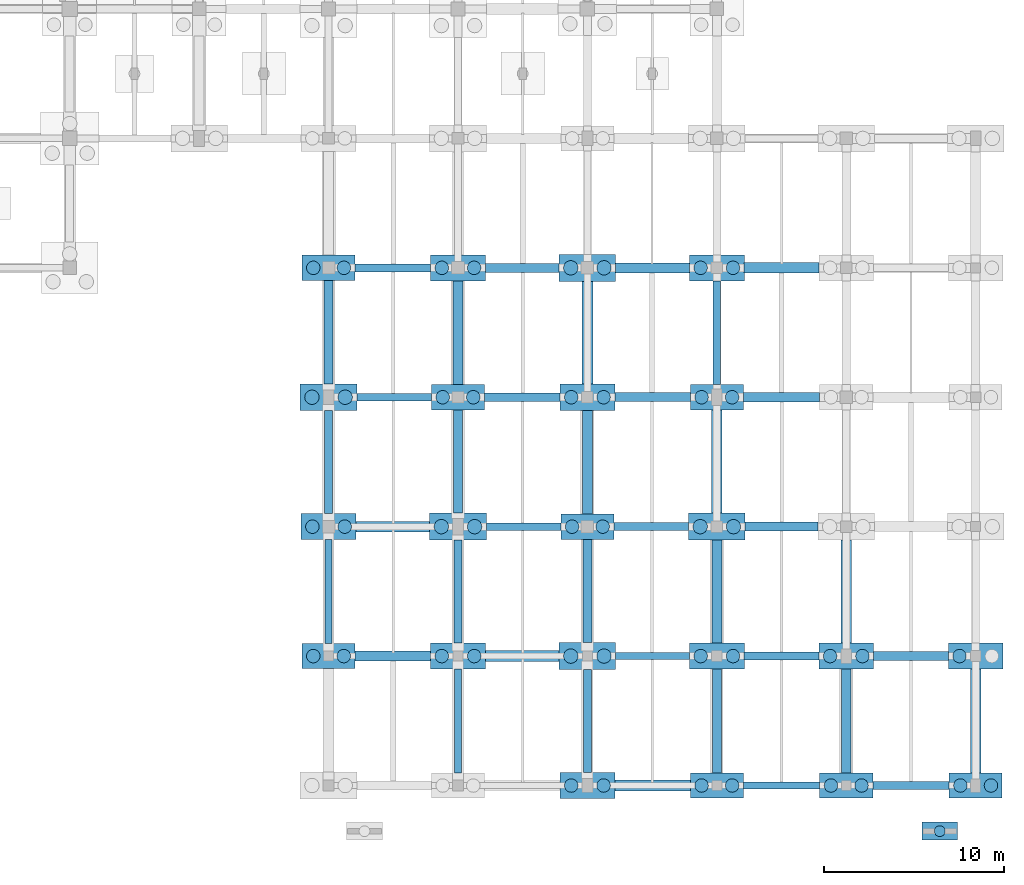
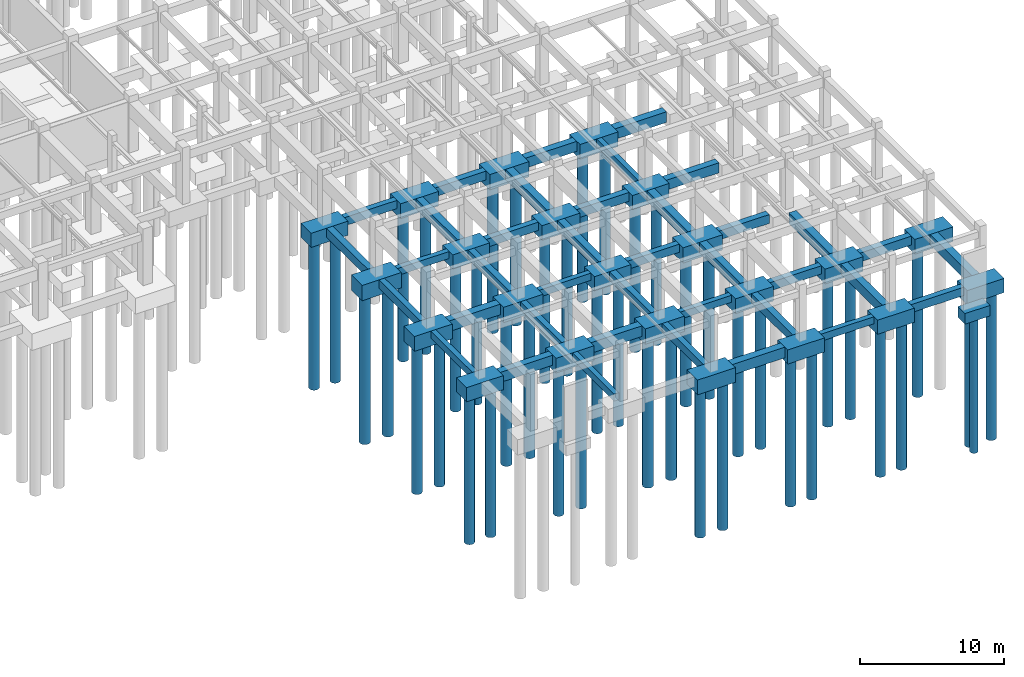
# One storey, part 12 of 44: 61 footings, 44 piles.
"""IFC4 building model written with IfcOpenShell, lengths in metres."""

from ifc_helpers import new_model, si_unit, direction, frame, origin, origin_2d, place, context, subcontext, project, spatial, rectangle, circle, extrude, material, material_profile, profile_set, type_object, element, save


model = new_model("IFC4")

# Units and contexts
model_context = context("Model", 3, precision=1e-05, world=origin(), true_north=direction((0.0, 1.0)))
body_context = subcontext(model_context, "Body", "Model", "MODEL_VIEW")
ifc_project = project(units=[si_unit("LENGTHUNIT", "METRE"), si_unit("AREAUNIT", "SQUARE_METRE"), si_unit("VOLUMEUNIT", "CUBIC_METRE"), si_unit("PLANEANGLEUNIT", "RADIAN"), si_unit("MASSUNIT", "GRAM", prefix="KILO")], contexts=[model_context])

# Site, building, storey
site_placement = place(None, origin())
site = spatial("IfcSite", under=ifc_project, at=site_placement, CompositionType="ELEMENT")
building_placement = place(site_placement, origin())
building = spatial("IfcBuilding", under=site, at=building_placement, Name="Korsvaeld Concert Hall", CompositionType="ELEMENT")
storey_placement = place(building_placement, frame((0.0, 0.0, -4.800048828125)))
storey = spatial("IfcBuildingStorey", under=building, at=storey_placement, Name="B1", CompositionType="ELEMENT", Elevation=-4.800048828125)

# Footings
ifc_material = material(Name="Concrete C35/45", Category="concrete")
ifc_material_profile_1 = material_profile(ifc_material, rectangle(XDim=0.39990234375, YDim=0.60009765625, at=origin_2d()), Name="GTB 400x600")
ifc_profile_set_1 = profile_set([ifc_material_profile_1], Name="Concrete C35/45")
footing_type_1 = type_object("IfcFootingType", Name="GTB-400x600", PredefinedType="FOOTING_BEAM", material=ifc_profile_set_1)
footing_1_placement = place(storey_placement, frame((155.074951171875, 0.0, -0.300048828125), z_axis=(1.0, 0.0, 0.0), x_axis=(0.0, 1.0, 0.0)))
element("IfcFooting", 1, at=footing_1_placement, inside=storey, type_object=footing_type_1, Name="Ground tie beam 21-22/A", PredefinedType="FOOTING_BEAM", context=body_context, shape_type="SweptSolid", body=[
    extrude(rectangle(XDim=0.39990234375, YDim=0.60009765625, at=origin_2d()), origin(), (0.0, 0.0, 1.0), 4.25),
])
footing_2_placement = place(storey_placement, frame((147.97509765625, 7.199951171875, -0.300048828125), z_axis=(1.0, 0.0, 0.0), x_axis=(0.0, 1.0, 0.0)))
element("IfcFooting", 2, at=footing_2_placement, inside=storey, type_object=footing_type_1, Name="Ground tie beam 20-21/B", PredefinedType="FOOTING_BEAM", context=body_context, shape_type="SweptSolid", body=[
    extrude(rectangle(XDim=0.39990234375, YDim=0.60009765625, at=origin_2d()), origin(), (0.0, 0.0, 1.0), 4.099853515625),
])
for number, where, z_axis, x_axis, name in (
    (3, (140.77490234375, 14.39990234375, -0.300048828125), (1.0, 0.0, 0.0), (0.0, 1.0, 0.0), "Ground tie beam 19-20/C"),
    (4, (133.574951171875, 21.60009765625, -0.300048828125), (1.0, 0.0, 0.0), (0.0, 1.0, 0.0), "Ground tie beam 18-19/D"),
):
    element("IfcFooting", number, at=place(storey_placement, frame(where, z_axis=z_axis, x_axis=x_axis)), inside=storey, type_object=footing_type_1, Name=name, PredefinedType="FOOTING_BEAM", context=body_context, shape_type="SweptSolid", body=[
        extrude(rectangle(XDim=0.39990234375, YDim=0.60009765625, at=origin_2d()), origin(), (0.0, 0.0, 1.0), 4.150146484375),
    ])
for number, where, z_axis, x_axis, name in (
    (5, (132.0, 7.89990234375, -0.300048828125), (0.0, 1.0, 0.0), (-1.0, 0.0, 0.0), "Ground tie beam 18/B-C"),
    (6, (139.199951171875, 0.699951171875, -0.300048828125), (0.0, 1.0, 0.0), (-1.0, 0.0, 0.0), "Ground tie beam 19/A-B"),
):
    element("IfcFooting", number, at=place(storey_placement, frame(where, z_axis=z_axis, x_axis=x_axis)), inside=storey, type_object=footing_type_1, Name=name, PredefinedType="FOOTING_BEAM", context=body_context, shape_type="SweptSolid", body=[
        extrude(rectangle(XDim=0.39990234375, YDim=0.60009765625, at=origin_2d()), origin(), (0.0, 0.0, 1.0), 5.775146484375),
    ])
footing_3_placement = place(storey_placement, frame((153.60009765625, 22.300048828125, -0.300048828125), z_axis=(0.0, 1.0, 0.0), x_axis=(-1.0, 0.0, 0.0)))
element("IfcFooting", 7, at=footing_3_placement, inside=storey, type_object=footing_type_1, Name="Ground tie beam 21/D-E", PredefinedType="FOOTING_BEAM", context=body_context, shape_type="SweptSolid", body=[
    extrude(rectangle(XDim=0.39990234375, YDim=0.60009765625, at=origin_2d()), origin(), (0.0, 0.0, 1.0), 5.77490234375),
])
ifc_material_profile_2 = material_profile(ifc_material, rectangle(XDim=0.449951171875, YDim=0.699951171875, at=origin_2d()), Name="GTB 450x700")
ifc_profile_set_2 = profile_set([ifc_material_profile_2], Name="Concrete C35/45")
footing_type_2 = type_object("IfcFootingType", Name="GTB-450x700", PredefinedType="FOOTING_BEAM", material=ifc_profile_set_2)
footing_4_placement = place(storey_placement, frame((162.27490234375, 0.0, -0.349853515625), z_axis=(1.0, 0.0, 0.0), x_axis=(0.0, 1.0, 0.0)))
element("IfcFooting", 8, at=footing_4_placement, inside=storey, type_object=footing_type_2, Name="Ground tie beam 22-23/A", PredefinedType="FOOTING_BEAM", context=body_context, shape_type="SweptSolid", body=[
    extrude(rectangle(XDim=0.449951171875, YDim=0.699951171875, at=origin_2d()), origin(), (0.0, 0.0, 1.0), 4.25),
])
for number, where, z_axis, x_axis, name in (
    (9, (155.125, 7.199951171875, -0.349853515625), (1.0, 0.0, 0.0), (0.0, 1.0, 0.0), "Ground tie beam 21-22/B"),
    (10, (147.875, 14.39990234375, -0.349853515625), (1.0, 0.0, 0.0), (0.0, 1.0, 0.0), "Ground tie beam 20-21/C"),
):
    element("IfcFooting", number, at=place(storey_placement, frame(where, z_axis=z_axis, x_axis=x_axis)), inside=storey, type_object=footing_type_2, Name=name, PredefinedType="FOOTING_BEAM", context=body_context, shape_type="SweptSolid", body=[
        extrude(rectangle(XDim=0.449951171875, YDim=0.699951171875, at=origin_2d()), origin(), (0.0, 0.0, 1.0), 4.14990234375),
    ])
for number, where, z_axis, x_axis, name in (
    (11, (140.675048828125, 21.60009765625, -0.349853515625), (1.0, 0.0, 0.0), (0.0, 1.0, 0.0), "Ground tie beam 19-20/D"),
    (12, (133.47509765625, 28.800048828125, -0.349853515625), (1.0, 0.0, 0.0), (0.0, 1.0, 0.0), "Ground tie beam 18-19/E"),
):
    element("IfcFooting", number, at=place(storey_placement, frame(where, z_axis=z_axis, x_axis=x_axis)), inside=storey, type_object=footing_type_2, Name=name, PredefinedType="FOOTING_BEAM", context=body_context, shape_type="SweptSolid", body=[
        extrude(rectangle(XDim=0.449951171875, YDim=0.699951171875, at=origin_2d()), origin(), (0.0, 0.0, 1.0), 4.199951171875),
    ])
footing_5_placement = place(storey_placement, frame((132.0, 15.125, -0.349853515625), z_axis=(0.0, 1.0, 0.0), x_axis=(-1.0, 0.0, 0.0)))
element("IfcFooting", 13, at=footing_5_placement, inside=storey, type_object=footing_type_2, Name="Ground tie beam 18/C-D", PredefinedType="FOOTING_BEAM", context=body_context, shape_type="SweptSolid", body=[
    extrude(rectangle(XDim=0.449951171875, YDim=0.699951171875, at=origin_2d()), origin(), (0.0, 0.0, 1.0), 5.72509765625),
])
for number, where, z_axis, x_axis, name in (
    (14, (139.199951171875, 7.925048828125, -0.349853515625), (0.0, 1.0, 0.0), (-1.0, 0.0, 0.0), "Ground tie beam 19/B-C"),
    (15, (146.39990234375, 0.72509765625, -0.349853515625), (0.0, 1.0, 0.0), (-1.0, 0.0, 0.0), "Ground tie beam 20/A-B"),
):
    element("IfcFooting", number, at=place(storey_placement, frame(where, z_axis=z_axis, x_axis=x_axis)), inside=storey, type_object=footing_type_2, Name=name, PredefinedType="FOOTING_BEAM", context=body_context, shape_type="SweptSolid", body=[
        extrude(rectangle(XDim=0.449951171875, YDim=0.699951171875, at=origin_2d()), origin(), (0.0, 0.0, 1.0), 5.724853515625),
    ])
ifc_material_profile_3 = material_profile(ifc_material, rectangle(XDim=0.5, YDim=0.75, at=origin_2d()), Name="GTB 500x750")
ifc_profile_set_3 = profile_set([ifc_material_profile_3], Name="Concrete C35/45")
footing_type_3 = type_object("IfcFootingType", Name="GTB-500x750", PredefinedType="FOOTING_BEAM", material=ifc_profile_set_3)
footing_6_placement = place(storey_placement, frame((162.324951171875, 7.199951171875, -0.375), z_axis=(1.0, 0.0, 0.0), x_axis=(0.0, 1.0, 0.0)))
element("IfcFooting", 16, at=footing_6_placement, inside=storey, type_object=footing_type_3, Name="Ground tie beam 22-23/B", PredefinedType="FOOTING_BEAM", context=body_context, shape_type="SweptSolid", body=[
    extrude(rectangle(XDim=0.5, YDim=0.75, at=origin_2d()), origin(), (0.0, 0.0, 1.0), 4.150146484375),
])
footing_7_placement = place(storey_placement, frame((155.175048828125, 14.39990234375, -0.375), z_axis=(1.0, 0.0, 0.0), x_axis=(0.0, 1.0, 0.0)))
element("IfcFooting", 17, at=footing_7_placement, inside=storey, type_object=footing_type_3, Name="Ground tie beam 21-22/C", PredefinedType="FOOTING_BEAM", context=body_context, shape_type="SweptSolid", body=[
    extrude(rectangle(XDim=0.5, YDim=0.75, at=origin_2d()), origin(), (0.0, 0.0, 1.0), 4.050048828125),
])
footing_8_placement = place(storey_placement, frame((147.925048828125, 21.60009765625, -0.375), z_axis=(1.0, 0.0, 0.0), x_axis=(0.0, 1.0, 0.0)))
element("IfcFooting", 18, at=footing_8_placement, inside=storey, type_object=footing_type_3, Name="Ground tie beam 20-21/D", PredefinedType="FOOTING_BEAM", context=body_context, shape_type="SweptSolid", body=[
    extrude(rectangle(XDim=0.5, YDim=0.75, at=origin_2d()), origin(), (0.0, 0.0, 1.0), 4.199951171875),
])
footing_9_placement = place(storey_placement, frame((140.72509765625, 28.800048828125, -0.375), z_axis=(1.0, 0.0, 0.0), x_axis=(0.0, 1.0, 0.0)))
element("IfcFooting", 19, at=footing_9_placement, inside=storey, type_object=footing_type_3, Name="Ground tie beam 19-20/E", PredefinedType="FOOTING_BEAM", context=body_context, shape_type="SweptSolid", body=[
    extrude(rectangle(XDim=0.5, YDim=0.75, at=origin_2d()), origin(), (0.0, 0.0, 1.0), 4.099853515625),
])
for number, where, z_axis, x_axis, name in (
    (20, (132.0, 22.35009765625, -0.375), (0.0, 1.0, 0.0), (-1.0, 0.0, 0.0), "Ground tie beam 18/D-E"),
    (21, (139.199951171875, 15.14990234375, -0.375), (0.0, 1.0, 0.0), (-1.0, 0.0, 0.0), "Ground tie beam 19/C-D"),
    (22, (146.39990234375, 7.949951171875, -0.375), (0.0, 1.0, 0.0), (-1.0, 0.0, 0.0), "Ground tie beam 20/B-C"),
):
    element("IfcFooting", number, at=place(storey_placement, frame(where, z_axis=z_axis, x_axis=x_axis)), inside=storey, type_object=footing_type_3, Name=name, PredefinedType="FOOTING_BEAM", context=body_context, shape_type="SweptSolid", body=[
        extrude(rectangle(XDim=0.5, YDim=0.75, at=origin_2d()), origin(), (0.0, 0.0, 1.0), 5.75),
    ])
footing_10_placement = place(storey_placement, frame((153.60009765625, 0.699951171875, -0.375), z_axis=(0.0, 1.0, 0.0), x_axis=(-1.0, 0.0, 0.0)))
element("IfcFooting", 23, at=footing_10_placement, inside=storey, type_object=footing_type_3, Name="Ground tie beam 21/A-B", PredefinedType="FOOTING_BEAM", context=body_context, shape_type="SweptSolid", body=[
    extrude(rectangle(XDim=0.5, YDim=0.75, at=origin_2d()), origin(), (0.0, 0.0, 1.0), 5.775146484375),
])
ifc_material_profile_4 = material_profile(ifc_material, rectangle(XDim=0.550048828125, YDim=0.85009765625, at=origin_2d()), Name="GTB 550x850")
ifc_profile_set_4 = profile_set([ifc_material_profile_4], Name="Concrete C35/45")
footing_type_4 = type_object("IfcFootingType", Name="GTB-550x850", PredefinedType="FOOTING_BEAM", material=ifc_profile_set_4)
footing_11_placement = place(storey_placement, frame((133.47509765625, 7.199951171875, -0.425048828125), z_axis=(1.0, 0.0, 0.0), x_axis=(0.0, 1.0, 0.0)))
element("IfcFooting", 24, at=footing_11_placement, inside=storey, type_object=footing_type_4, Name="Ground tie beam 18-19/B", PredefinedType="FOOTING_BEAM", context=body_context, shape_type="SweptSolid", body=[
    extrude(rectangle(XDim=0.550048828125, YDim=0.85009765625, at=origin_2d()), origin(), (0.0, 0.0, 1.0), 4.199951171875),
])
footing_12_placement = place(storey_placement, frame((155.074951171875, 21.60009765625, -0.425048828125), z_axis=(1.0, 0.0, 0.0), x_axis=(0.0, 1.0, 0.0)))
element("IfcFooting", 25, at=footing_12_placement, inside=storey, type_object=footing_type_4, Name="Ground tie beam 21-22/D", PredefinedType="FOOTING_BEAM", context=body_context, shape_type="SweptSolid", body=[
    extrude(rectangle(XDim=0.550048828125, YDim=0.85009765625, at=origin_2d()), origin(), (0.0, 0.0, 1.0), 4.25),
])
footing_13_placement = place(storey_placement, frame((147.97509765625, 28.800048828125, -0.425048828125), z_axis=(1.0, 0.0, 0.0), x_axis=(0.0, 1.0, 0.0)))
element("IfcFooting", 26, at=footing_13_placement, inside=storey, type_object=footing_type_4, Name="Ground tie beam 20-21/E", PredefinedType="FOOTING_BEAM", context=body_context, shape_type="SweptSolid", body=[
    extrude(rectangle(XDim=0.550048828125, YDim=0.85009765625, at=origin_2d()), origin(), (0.0, 0.0, 1.0), 4.099853515625),
])
for number, where, z_axis, x_axis, name in (
    (27, (139.199951171875, 22.300048828125, -0.425048828125), (0.0, 1.0, 0.0), (-1.0, 0.0, 0.0), "Ground tie beam 19/D-E"),
    (28, (146.39990234375, 15.10009765625, -0.425048828125), (0.0, 1.0, 0.0), (-1.0, 0.0, 0.0), "Ground tie beam 20/C-D"),
):
    element("IfcFooting", number, at=place(storey_placement, frame(where, z_axis=z_axis, x_axis=x_axis)), inside=storey, type_object=footing_type_4, Name=name, PredefinedType="FOOTING_BEAM", context=body_context, shape_type="SweptSolid", body=[
        extrude(rectangle(XDim=0.550048828125, YDim=0.85009765625, at=origin_2d()), origin(), (0.0, 0.0, 1.0), 5.77490234375),
    ])
footing_14_placement = place(storey_placement, frame((153.60009765625, 7.925048828125, -0.425048828125), z_axis=(0.0, 1.0, 0.0), x_axis=(-1.0, 0.0, 0.0)))
element("IfcFooting", 29, at=footing_14_placement, inside=storey, type_object=footing_type_4, Name="Ground tie beam 21/B-C", PredefinedType="FOOTING_BEAM", context=body_context, shape_type="SweptSolid", body=[
    extrude(rectangle(XDim=0.550048828125, YDim=0.85009765625, at=origin_2d()), origin(), (0.0, 0.0, 1.0), 5.724853515625),
])
footing_15_placement = place(storey_placement, frame((160.800048828125, 0.699951171875, -0.425048828125), z_axis=(0.0, 1.0, 0.0), x_axis=(-1.0, 0.0, 0.0)))
element("IfcFooting", 30, at=footing_15_placement, inside=storey, type_object=footing_type_4, Name="Ground tie beam 22/A-B", PredefinedType="FOOTING_BEAM", context=body_context, shape_type="SweptSolid", body=[
    extrude(rectangle(XDim=0.550048828125, YDim=0.85009765625, at=origin_2d()), origin(), (0.0, 0.0, 1.0), 5.775146484375),
])
ifc_material_profile_5 = material_profile(ifc_material, rectangle(XDim=0.60009765625, YDim=0.89990234375, at=origin_2d()), Name="GTB 600x900")
ifc_profile_set_5 = profile_set([ifc_material_profile_5], Name="Concrete C35/45")
footing_type_5 = type_object("IfcFootingType", Name="GTB-600x900", PredefinedType="FOOTING_BEAM", material=ifc_profile_set_5)
footing_16_placement = place(storey_placement, frame((147.925048828125, 0.0, -0.449951171875), z_axis=(1.0, 0.0, 0.0), x_axis=(0.0, 1.0, 0.0)))
element("IfcFooting", 31, at=footing_16_placement, inside=storey, type_object=footing_type_5, Name="Ground tie beam 20-21/A", PredefinedType="FOOTING_BEAM", context=body_context, shape_type="SweptSolid", body=[
    extrude(rectangle(XDim=0.60009765625, YDim=0.89990234375, at=origin_2d()), origin(), (0.0, 0.0, 1.0), 4.199951171875),
])
footing_17_placement = place(storey_placement, frame((140.72509765625, 7.199951171875, -0.449951171875), z_axis=(1.0, 0.0, 0.0), x_axis=(0.0, 1.0, 0.0)))
element("IfcFooting", 32, at=footing_17_placement, inside=storey, type_object=footing_type_5, Name="Ground tie beam 19-20/B", PredefinedType="FOOTING_BEAM", context=body_context, shape_type="SweptSolid", body=[
    extrude(rectangle(XDim=0.60009765625, YDim=0.89990234375, at=origin_2d()), origin(), (0.0, 0.0, 1.0), 4.099853515625),
])
footing_18_placement = place(storey_placement, frame((133.52490234375, 14.39990234375, -0.449951171875), z_axis=(1.0, 0.0, 0.0), x_axis=(0.0, 1.0, 0.0)))
element("IfcFooting", 33, at=footing_18_placement, inside=storey, type_object=footing_type_5, Name="Ground tie beam 18-19/C", PredefinedType="FOOTING_BEAM", context=body_context, shape_type="SweptSolid", body=[
    extrude(rectangle(XDim=0.60009765625, YDim=0.89990234375, at=origin_2d()), origin(), (0.0, 0.0, 1.0), 4.10009765625),
])
footing_19_placement = place(storey_placement, frame((155.125, 28.800048828125, -0.449951171875), z_axis=(1.0, 0.0, 0.0), x_axis=(0.0, 1.0, 0.0)))
element("IfcFooting", 34, at=footing_19_placement, inside=storey, type_object=footing_type_5, Name="Ground tie beam 21-22/E", PredefinedType="FOOTING_BEAM", context=body_context, shape_type="SweptSolid", body=[
    extrude(rectangle(XDim=0.60009765625, YDim=0.89990234375, at=origin_2d()), origin(), (0.0, 0.0, 1.0), 4.14990234375),
])
footing_20_placement = place(storey_placement, frame((146.39990234375, 22.324951171875, -0.449951171875), z_axis=(0.0, 1.0, 0.0), x_axis=(-1.0, 0.0, 0.0)))
element("IfcFooting", 35, at=footing_20_placement, inside=storey, type_object=footing_type_5, Name="Ground tie beam 20/D-E", PredefinedType="FOOTING_BEAM", context=body_context, shape_type="SweptSolid", body=[
    extrude(rectangle(XDim=0.60009765625, YDim=0.89990234375, at=origin_2d()), origin(), (0.0, 0.0, 1.0), 5.72509765625),
])
footing_21_placement = place(storey_placement, frame((153.60009765625, 15.14990234375, -0.449951171875), z_axis=(0.0, 1.0, 0.0), x_axis=(-1.0, 0.0, 0.0)))
element("IfcFooting", 36, at=footing_21_placement, inside=storey, type_object=footing_type_5, Name="Ground tie beam 21/C-D", PredefinedType="FOOTING_BEAM", context=body_context, shape_type="SweptSolid", body=[
    extrude(rectangle(XDim=0.60009765625, YDim=0.89990234375, at=origin_2d()), origin(), (0.0, 0.0, 1.0), 5.75),
])
footing_22_placement = place(storey_placement, frame((160.800048828125, 7.925048828125, -0.449951171875), z_axis=(0.0, 1.0, 0.0), x_axis=(-1.0, 0.0, 0.0)))
element("IfcFooting", 37, at=footing_22_placement, inside=storey, type_object=footing_type_5, Name="Ground tie beam 22/B-C", PredefinedType="FOOTING_BEAM", context=body_context, shape_type="SweptSolid", body=[
    extrude(rectangle(XDim=0.60009765625, YDim=0.89990234375, at=origin_2d()), origin(), (0.0, 0.0, 1.0), 5.724853515625),
])
footing_23_placement = place(storey_placement, frame((168.0, 0.699951171875, -0.449951171875), z_axis=(0.0, 1.0, 0.0), x_axis=(-1.0, 0.0, 0.0)))
element("IfcFooting", 38, at=footing_23_placement, inside=storey, type_object=footing_type_5, Name="Ground tie beam 23/A-B", PredefinedType="FOOTING_BEAM", context=body_context, shape_type="SweptSolid", body=[
    extrude(rectangle(XDim=0.60009765625, YDim=0.89990234375, at=origin_2d()), origin(), (0.0, 0.0, 1.0), 5.775146484375),
])
footing_type_6 = type_object("IfcFootingType", Name="PC-2P-240x130x120", PredefinedType="PILE_CAP", material=ifc_material)
for number, where, z_axis, x_axis, name in (
    (39, (132.0, 7.199951171875, -1.19970703125), (0.0, 0.0, 1.0), (1.0, 0.0, 0.0), "Pile cap 18/B"),
    (40, (132.0, 28.800048828125, -1.19970703125), (0.0, 0.0, 1.0), (1.0, 0.0, 0.0), "Pile cap 18/E"),
    (41, (139.199951171875, 21.60009765625, -1.19970703125), (0.0, 0.0, 1.0), (1.0, 0.0, 0.0), "Pile cap 19/D"),
    (42, (146.39990234375, 14.39990234375, -1.19970703125), (0.0, 0.0, 1.0), (1.0, 0.0, 0.0), "Pile cap 20/C"),
    (43, (153.60009765625, 0.0, -1.19970703125), (0.0, 0.0, 1.0), (1.0, 0.0, 0.0), "Pile cap 21/A"),
    (44, (153.60009765625, 21.60009765625, -1.19970703125), (0.0, 0.0, 1.0), (1.0, 0.0, 0.0), "Pile cap 21/D"),
    (45, (160.800048828125, 0.0, -1.19970703125), (0.0, 0.0, 1.0), (1.0, 0.0, 0.0), "Pile cap 22/A"),
    (46, (168.0, 0.0, -1.19970703125), (0.0, 0.0, 1.0), (1.0, 0.0, 0.0), "Pile cap 23/A"),
):
    element("IfcFooting", number, at=place(storey_placement, frame(where, z_axis=z_axis, x_axis=x_axis)), inside=storey, type_object=footing_type_6, Name=name, PredefinedType="PILE_CAP", context=body_context, shape_type="SweptSolid", body=[
        extrude(rectangle(XDim=2.949951171875, YDim=1.39990234375, at=origin_2d()), origin(), (0.0, 0.0, 1.0), 1.199951171875),
    ])
footing_type_7 = type_object("IfcFootingType", Name="PC-2P-260x140x125", PredefinedType="PILE_CAP", material=ifc_material)
for number, where, z_axis, x_axis, name in (
    (47, (132.0, 14.39990234375, -1.25), (0.0, 0.0, 1.0), (1.0, 0.0, 0.0), "Pile cap 18/C"),
    (48, (139.199951171875, 7.199951171875, -1.25), (0.0, 0.0, 1.0), (1.0, 0.0, 0.0), "Pile cap 19/B"),
    (49, (139.199951171875, 28.800048828125, -1.25), (0.0, 0.0, 1.0), (1.0, 0.0, 0.0), "Pile cap 19/E"),
    (50, (146.39990234375, 0.0, -1.25), (0.0, 0.0, 1.0), (1.0, 0.0, 0.0), "Pile cap 20/A"),
    (51, (146.39990234375, 21.60009765625, -1.25), (0.0, 0.0, 1.0), (1.0, 0.0, 0.0), "Pile cap 20/D"),
    (52, (153.60009765625, 7.199951171875, -1.25), (0.0, 0.0, 1.0), (1.0, 0.0, 0.0), "Pile cap 21/B"),
    (53, (153.60009765625, 28.800048828125, -1.25), (0.0, 0.0, 1.0), (1.0, 0.0, 0.0), "Pile cap 21/E"),
    (54, (160.800048828125, 7.199951171875, -1.25), (0.0, 0.0, 1.0), (1.0, 0.0, 0.0), "Pile cap 22/B"),
    (55, (168.0, 7.199951171875, -1.25), (0.0, 0.0, 1.0), (1.0, 0.0, 0.0), "Pile cap 23/B"),
):
    element("IfcFooting", number, at=place(storey_placement, frame(where, z_axis=z_axis, x_axis=x_axis)), inside=storey, type_object=footing_type_7, Name=name, PredefinedType="PILE_CAP", context=body_context, shape_type="SweptSolid", body=[
        extrude(rectangle(XDim=3.050048828125, YDim=1.449951171875, at=origin_2d()), origin(), (0.0, 0.0, 1.0), 1.25),
    ])
footing_type_8 = type_object("IfcFootingType", Name="PC-2P-280x150x130", PredefinedType="PILE_CAP", material=ifc_material)
for number, where, z_axis, x_axis, name in (
    (56, (132.0, 21.60009765625, -1.2998046875), (0.0, 0.0, 1.0), (1.0, 0.0, 0.0), "Pile cap 18/D"),
    (57, (139.199951171875, 14.39990234375, -1.2998046875), (0.0, 0.0, 1.0), (1.0, 0.0, 0.0), "Pile cap 19/C"),
    (58, (146.39990234375, 7.199951171875, -1.2998046875), (0.0, 0.0, 1.0), (1.0, 0.0, 0.0), "Pile cap 20/B"),
    (59, (146.39990234375, 28.800048828125, -1.2998046875), (0.0, 0.0, 1.0), (1.0, 0.0, 0.0), "Pile cap 20/E"),
    (60, (153.60009765625, 14.39990234375, -1.2998046875), (0.0, 0.0, 1.0), (1.0, 0.0, 0.0), "Pile cap 21/C"),
):
    element("IfcFooting", number, at=place(storey_placement, frame(where, z_axis=z_axis, x_axis=x_axis)), inside=storey, type_object=footing_type_8, Name=name, PredefinedType="PILE_CAP", context=body_context, shape_type="SweptSolid", body=[
        extrude(rectangle(XDim=3.14990234375, YDim=1.5, at=origin_2d()), origin(), (0.0, 0.0, 1.0), 1.300048828125),
    ])
footing_type_9 = type_object("IfcFootingType", Name="PF-RAMP-200x100x90", PredefinedType="PAD_FOOTING", material=ifc_material)
footing_24_placement = place(storey_placement, frame((166.0, -2.5400390625, -0.89990234375), z_axis=(0.0, 0.0, 1.0), x_axis=(1.0, 0.0, 0.0)))
element("IfcFooting", 61, at=footing_24_placement, inside=storey, type_object=footing_type_9, Name="Ramp toe foundation RMP-SE2", PredefinedType="PAD_FOOTING", context=body_context, shape_type="SweptSolid", body=[
    extrude(rectangle(XDim=2.0, YDim=1.0, at=origin_2d()), origin(), (0.0, 0.0, 1.0), 0.89990234375),
])

# Piles
ifc_material_profile_6 = material_profile(ifc_material, circle(Radius=0.300048828125, at=origin_2d()), Name="BORED PILE D600")
ifc_profile_set_6 = profile_set([ifc_material_profile_6], Name="Concrete C35/45")
pile_type_1 = type_object("IfcPileType", Name="PILE-D600", PredefinedType="BORED", material=ifc_profile_set_6)
pile_1_placement = place(storey_placement, frame((166.0, -2.5400390625, -0.800048828125), z_axis=(0.0, 0.0, -1.0), x_axis=(1.0, 0.0, 0.0)))
element("IfcPile", 62, at=pile_1_placement, inside=storey, type_object=pile_type_1, Name="Ramp toe bored pile RMP-SE2", PredefinedType="BORED", context=body_context, shape_type="SweptSolid", body=[
    extrude(circle(Radius=0.300048828125, at=origin_2d()), origin(), (0.0, 0.0, 1.0), 11.5),
])
ifc_material_profile_7 = material_profile(ifc_material, circle(Radius=0.375, at=origin_2d()), Name="BORED PILE D750")
ifc_profile_set_7 = profile_set([ifc_material_profile_7], Name="Concrete C35/45")
pile_type_2 = type_object("IfcPileType", Name="PILE-D750", PredefinedType="BORED", material=ifc_profile_set_7)
for number, where, z_axis, x_axis, name in (
    (63, (131.14990234375, 7.199951171875, -1.099853515625), (0.0, 0.0, -1.0), (1.0, 0.0, 0.0), "Bored pile 18/B-1"),
    (64, (132.85009765625, 7.199951171875, -1.099853515625), (0.0, 0.0, -1.0), (1.0, 0.0, 0.0), "Bored pile 18/B-2"),
):
    element("IfcPile", number, at=place(storey_placement, frame(where, z_axis=z_axis, x_axis=x_axis)), inside=storey, type_object=pile_type_2, Name=name, PredefinedType="BORED", context=body_context, shape_type="SweptSolid", body=[
        extrude(circle(Radius=0.375, at=origin_2d()), origin(), (0.0, 0.0, 1.0), 12.60009765625),
    ])
for number, where, z_axis, x_axis, name in (
    (65, (131.10009765625, 14.39990234375, -1.14990234375), (0.0, 0.0, -1.0), (1.0, 0.0, 0.0), "Bored pile 18/C-1"),
    (66, (132.89990234375, 14.39990234375, -1.14990234375), (0.0, 0.0, -1.0), (1.0, 0.0, 0.0), "Bored pile 18/C-2"),
):
    element("IfcPile", number, at=place(storey_placement, frame(where, z_axis=z_axis, x_axis=x_axis)), inside=storey, type_object=pile_type_2, Name=name, PredefinedType="BORED", context=body_context, shape_type="SweptSolid", body=[
        extrude(circle(Radius=0.375, at=origin_2d()), origin(), (0.0, 0.0, 1.0), 12.64990234375),
    ])
for number, where, z_axis, x_axis, name in (
    (67, (131.14990234375, 28.800048828125, -1.099853515625), (0.0, 0.0, -1.0), (1.0, 0.0, 0.0), "Bored pile 18/E-1"),
    (68, (132.85009765625, 28.800048828125, -1.099853515625), (0.0, 0.0, -1.0), (1.0, 0.0, 0.0), "Bored pile 18/E-2"),
):
    element("IfcPile", number, at=place(storey_placement, frame(where, z_axis=z_axis, x_axis=x_axis)), inside=storey, type_object=pile_type_2, Name=name, PredefinedType="BORED", context=body_context, shape_type="SweptSolid", body=[
        extrude(circle(Radius=0.375, at=origin_2d()), origin(), (0.0, 0.0, 1.0), 12.60009765625),
    ])
for number, where, z_axis, x_axis, name in (
    (69, (138.300048828125, 7.199951171875, -1.14990234375), (0.0, 0.0, -1.0), (1.0, 0.0, 0.0), "Bored pile 19/B-1"),
    (70, (140.10009765625, 7.199951171875, -1.14990234375), (0.0, 0.0, -1.0), (1.0, 0.0, 0.0), "Bored pile 19/B-2"),
):
    element("IfcPile", number, at=place(storey_placement, frame(where, z_axis=z_axis, x_axis=x_axis)), inside=storey, type_object=pile_type_2, Name=name, PredefinedType="BORED", context=body_context, shape_type="SweptSolid", body=[
        extrude(circle(Radius=0.375, at=origin_2d()), origin(), (0.0, 0.0, 1.0), 12.64990234375),
    ])
for number, where, z_axis, x_axis, name in (
    (71, (138.35009765625, 21.60009765625, -1.099853515625), (0.0, 0.0, -1.0), (1.0, 0.0, 0.0), "Bored pile 19/D-1"),
    (72, (140.050048828125, 21.60009765625, -1.099853515625), (0.0, 0.0, -1.0), (1.0, 0.0, 0.0), "Bored pile 19/D-2"),
):
    element("IfcPile", number, at=place(storey_placement, frame(where, z_axis=z_axis, x_axis=x_axis)), inside=storey, type_object=pile_type_2, Name=name, PredefinedType="BORED", context=body_context, shape_type="SweptSolid", body=[
        extrude(circle(Radius=0.375, at=origin_2d()), origin(), (0.0, 0.0, 1.0), 12.60009765625),
    ])
for number, where, z_axis, x_axis, name in (
    (73, (138.300048828125, 28.800048828125, -1.14990234375), (0.0, 0.0, -1.0), (1.0, 0.0, 0.0), "Bored pile 19/E-1"),
    (74, (140.10009765625, 28.800048828125, -1.14990234375), (0.0, 0.0, -1.0), (1.0, 0.0, 0.0), "Bored pile 19/E-2"),
    (75, (145.5, 0.0, -1.14990234375), (0.0, 0.0, -1.0), (1.0, 0.0, 0.0), "Bored pile 20/A-1"),
    (76, (147.300048828125, 0.0, -1.14990234375), (0.0, 0.0, -1.0), (1.0, 0.0, 0.0), "Bored pile 20/A-2"),
):
    element("IfcPile", number, at=place(storey_placement, frame(where, z_axis=z_axis, x_axis=x_axis)), inside=storey, type_object=pile_type_2, Name=name, PredefinedType="BORED", context=body_context, shape_type="SweptSolid", body=[
        extrude(circle(Radius=0.375, at=origin_2d()), origin(), (0.0, 0.0, 1.0), 12.64990234375),
    ])
for number, where, z_axis, x_axis, name in (
    (77, (145.550048828125, 14.39990234375, -1.099853515625), (0.0, 0.0, -1.0), (1.0, 0.0, 0.0), "Bored pile 20/C-1"),
    (78, (147.25, 14.39990234375, -1.099853515625), (0.0, 0.0, -1.0), (1.0, 0.0, 0.0), "Bored pile 20/C-2"),
):
    element("IfcPile", number, at=place(storey_placement, frame(where, z_axis=z_axis, x_axis=x_axis)), inside=storey, type_object=pile_type_2, Name=name, PredefinedType="BORED", context=body_context, shape_type="SweptSolid", body=[
        extrude(circle(Radius=0.375, at=origin_2d()), origin(), (0.0, 0.0, 1.0), 12.60009765625),
    ])
for number, where, z_axis, x_axis, name in (
    (79, (145.5, 21.60009765625, -1.14990234375), (0.0, 0.0, -1.0), (1.0, 0.0, 0.0), "Bored pile 20/D-1"),
    (80, (147.300048828125, 21.60009765625, -1.14990234375), (0.0, 0.0, -1.0), (1.0, 0.0, 0.0), "Bored pile 20/D-2"),
):
    element("IfcPile", number, at=place(storey_placement, frame(where, z_axis=z_axis, x_axis=x_axis)), inside=storey, type_object=pile_type_2, Name=name, PredefinedType="BORED", context=body_context, shape_type="SweptSolid", body=[
        extrude(circle(Radius=0.375, at=origin_2d()), origin(), (0.0, 0.0, 1.0), 12.64990234375),
    ])
for number, where, z_axis, x_axis, name in (
    (81, (152.75, 0.0, -1.099853515625), (0.0, 0.0, -1.0), (1.0, 0.0, 0.0), "Bored pile 21/A-1"),
    (82, (154.449951171875, 0.0, -1.099853515625), (0.0, 0.0, -1.0), (1.0, 0.0, 0.0), "Bored pile 21/A-2"),
):
    element("IfcPile", number, at=place(storey_placement, frame(where, z_axis=z_axis, x_axis=x_axis)), inside=storey, type_object=pile_type_2, Name=name, PredefinedType="BORED", context=body_context, shape_type="SweptSolid", body=[
        extrude(circle(Radius=0.375, at=origin_2d()), origin(), (0.0, 0.0, 1.0), 12.60009765625),
    ])
for number, where, z_axis, x_axis, name in (
    (83, (152.699951171875, 7.199951171875, -1.14990234375), (0.0, 0.0, -1.0), (1.0, 0.0, 0.0), "Bored pile 21/B-1"),
    (84, (154.5, 7.199951171875, -1.14990234375), (0.0, 0.0, -1.0), (1.0, 0.0, 0.0), "Bored pile 21/B-2"),
):
    element("IfcPile", number, at=place(storey_placement, frame(where, z_axis=z_axis, x_axis=x_axis)), inside=storey, type_object=pile_type_2, Name=name, PredefinedType="BORED", context=body_context, shape_type="SweptSolid", body=[
        extrude(circle(Radius=0.375, at=origin_2d()), origin(), (0.0, 0.0, 1.0), 12.64990234375),
    ])
for number, where, z_axis, x_axis, name in (
    (85, (152.75, 21.60009765625, -1.099853515625), (0.0, 0.0, -1.0), (1.0, 0.0, 0.0), "Bored pile 21/D-1"),
    (86, (154.449951171875, 21.60009765625, -1.099853515625), (0.0, 0.0, -1.0), (1.0, 0.0, 0.0), "Bored pile 21/D-2"),
):
    element("IfcPile", number, at=place(storey_placement, frame(where, z_axis=z_axis, x_axis=x_axis)), inside=storey, type_object=pile_type_2, Name=name, PredefinedType="BORED", context=body_context, shape_type="SweptSolid", body=[
        extrude(circle(Radius=0.375, at=origin_2d()), origin(), (0.0, 0.0, 1.0), 12.60009765625),
    ])
for number, where, z_axis, x_axis, name in (
    (87, (152.699951171875, 28.800048828125, -1.14990234375), (0.0, 0.0, -1.0), (1.0, 0.0, 0.0), "Bored pile 21/E-1"),
    (88, (154.5, 28.800048828125, -1.14990234375), (0.0, 0.0, -1.0), (1.0, 0.0, 0.0), "Bored pile 21/E-2"),
):
    element("IfcPile", number, at=place(storey_placement, frame(where, z_axis=z_axis, x_axis=x_axis)), inside=storey, type_object=pile_type_2, Name=name, PredefinedType="BORED", context=body_context, shape_type="SweptSolid", body=[
        extrude(circle(Radius=0.375, at=origin_2d()), origin(), (0.0, 0.0, 1.0), 12.64990234375),
    ])
for number, where, z_axis, x_axis, name in (
    (89, (159.949951171875, 0.0, -1.099853515625), (0.0, 0.0, -1.0), (1.0, 0.0, 0.0), "Bored pile 22/A-1"),
    (90, (161.64990234375, 0.0, -1.099853515625), (0.0, 0.0, -1.0), (1.0, 0.0, 0.0), "Bored pile 22/A-2"),
):
    element("IfcPile", number, at=place(storey_placement, frame(where, z_axis=z_axis, x_axis=x_axis)), inside=storey, type_object=pile_type_2, Name=name, PredefinedType="BORED", context=body_context, shape_type="SweptSolid", body=[
        extrude(circle(Radius=0.375, at=origin_2d()), origin(), (0.0, 0.0, 1.0), 12.60009765625),
    ])
for number, where, z_axis, x_axis, name in (
    (91, (159.89990234375, 7.199951171875, -1.14990234375), (0.0, 0.0, -1.0), (1.0, 0.0, 0.0), "Bored pile 22/B-1"),
    (92, (161.699951171875, 7.199951171875, -1.14990234375), (0.0, 0.0, -1.0), (1.0, 0.0, 0.0), "Bored pile 22/B-2"),
):
    element("IfcPile", number, at=place(storey_placement, frame(where, z_axis=z_axis, x_axis=x_axis)), inside=storey, type_object=pile_type_2, Name=name, PredefinedType="BORED", context=body_context, shape_type="SweptSolid", body=[
        extrude(circle(Radius=0.375, at=origin_2d()), origin(), (0.0, 0.0, 1.0), 12.64990234375),
    ])
for number, where, z_axis, x_axis, name in (
    (93, (167.14990234375, 0.0, -1.099853515625), (0.0, 0.0, -1.0), (1.0, 0.0, 0.0), "Bored pile 23/A-1"),
    (94, (168.85009765625, 0.0, -1.099853515625), (0.0, 0.0, -1.0), (1.0, 0.0, 0.0), "Bored pile 23/A-2"),
):
    element("IfcPile", number, at=place(storey_placement, frame(where, z_axis=z_axis, x_axis=x_axis)), inside=storey, type_object=pile_type_2, Name=name, PredefinedType="BORED", context=body_context, shape_type="SweptSolid", body=[
        extrude(circle(Radius=0.375, at=origin_2d()), origin(), (0.0, 0.0, 1.0), 12.60009765625),
    ])
pile_2_placement = place(storey_placement, frame((167.10009765625, 7.199951171875, -1.14990234375), z_axis=(0.0, 0.0, -1.0), x_axis=(1.0, 0.0, 0.0)))
element("IfcPile", 95, at=pile_2_placement, inside=storey, type_object=pile_type_2, Name="Bored pile 23/B-1", PredefinedType="BORED", context=body_context, shape_type="SweptSolid", body=[
    extrude(circle(Radius=0.375, at=origin_2d()), origin(), (0.0, 0.0, 1.0), 12.64990234375),
])
ifc_material_profile_8 = material_profile(ifc_material, circle(Radius=0.39990234375, at=origin_2d()), Name="BORED PILE D800")
ifc_profile_set_8 = profile_set([ifc_material_profile_8], Name="Concrete C35/45")
pile_type_3 = type_object("IfcPileType", Name="PILE-D800", PredefinedType="BORED", material=ifc_profile_set_8)
for number, where, z_axis, x_axis, name in (
    (96, (131.074951171875, 21.60009765625, -1.199951171875), (0.0, 0.0, -1.0), (1.0, 0.0, 0.0), "Bored pile 18/D-1"),
    (97, (132.925048828125, 21.60009765625, -1.199951171875), (0.0, 0.0, -1.0), (1.0, 0.0, 0.0), "Bored pile 18/D-2"),
    (98, (138.27490234375, 14.39990234375, -1.199951171875), (0.0, 0.0, -1.0), (1.0, 0.0, 0.0), "Bored pile 19/C-1"),
    (99, (140.125, 14.39990234375, -1.199951171875), (0.0, 0.0, -1.0), (1.0, 0.0, 0.0), "Bored pile 19/C-2"),
    (100, (145.47509765625, 7.199951171875, -1.199951171875), (0.0, 0.0, -1.0), (1.0, 0.0, 0.0), "Bored pile 20/B-1"),
    (101, (147.324951171875, 7.199951171875, -1.199951171875), (0.0, 0.0, -1.0), (1.0, 0.0, 0.0), "Bored pile 20/B-2"),
    (102, (145.47509765625, 28.800048828125, -1.199951171875), (0.0, 0.0, -1.0), (1.0, 0.0, 0.0), "Bored pile 20/E-1"),
    (103, (147.324951171875, 28.800048828125, -1.199951171875), (0.0, 0.0, -1.0), (1.0, 0.0, 0.0), "Bored pile 20/E-2"),
    (104, (152.675048828125, 14.39990234375, -1.199951171875), (0.0, 0.0, -1.0), (1.0, 0.0, 0.0), "Bored pile 21/C-1"),
    (105, (154.52490234375, 14.39990234375, -1.199951171875), (0.0, 0.0, -1.0), (1.0, 0.0, 0.0), "Bored pile 21/C-2"),
):
    element("IfcPile", number, at=place(storey_placement, frame(where, z_axis=z_axis, x_axis=x_axis)), inside=storey, type_object=pile_type_3, Name=name, PredefinedType="BORED", context=body_context, shape_type="SweptSolid", body=[
        extrude(circle(Radius=0.39990234375, at=origin_2d()), origin(), (0.0, 0.0, 1.0), 12.699951171875),
    ])

save(model, "model.ifc")
